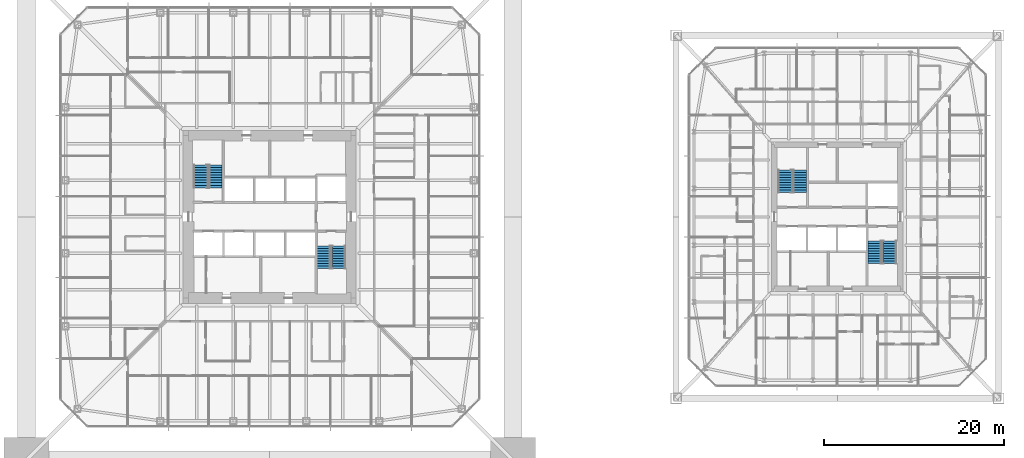
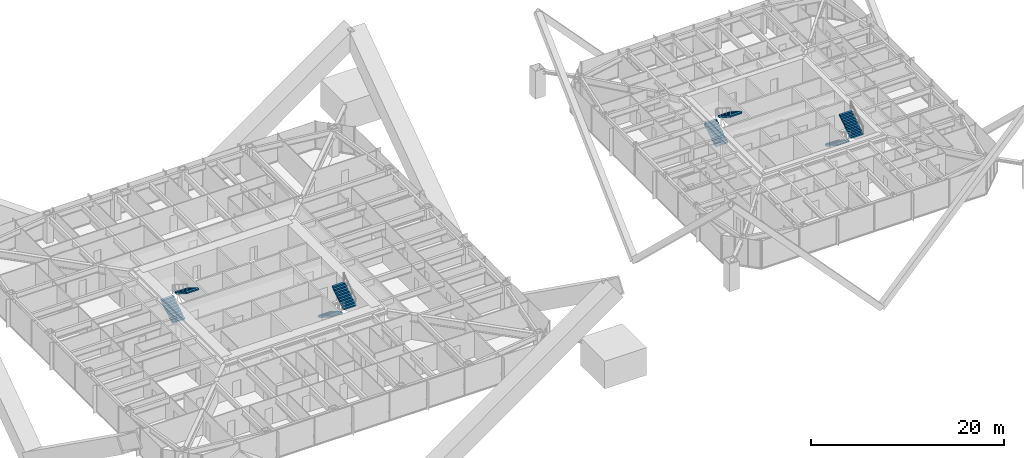
# One storey, part 24 of 28: 8 stair flights, 4 elements without a shape of their own.
"""IFC4 building model written with IfcOpenShell, lengths in metres."""

from ifc_helpers import new_model, si_unit, direction, frame, origin, place, context, subcontext, project, spatial, polyline, outline, extrude, material, constituent, constituent_set, type_object, element, aggregate, save


model = new_model("IFC4")

# Units and contexts
model_context = context("Model", 3, precision=1e-05, world=origin(), true_north=direction((0.0, 1.0)))
body_context = subcontext(model_context, "Body", "Model", "MODEL_VIEW")
ifc_project = project(units=[si_unit("LENGTHUNIT", "METRE"), si_unit("AREAUNIT", "SQUARE_METRE"), si_unit("VOLUMEUNIT", "CUBIC_METRE"), si_unit("PLANEANGLEUNIT", "RADIAN"), si_unit("MASSUNIT", "GRAM", prefix="KILO")], contexts=[model_context])

# Site, building, storey
site_placement = place(None, origin())
site = spatial("IfcSite", under=ifc_project, at=site_placement, CompositionType="ELEMENT")
building_placement = place(site_placement, origin())
building = spatial("IfcBuilding", under=site, at=building_placement, Name="Iwan Alto Co-Living Towers", CompositionType="ELEMENT")
storey_placement = place(building_placement, frame((0.0, 0.0, 64.0)))
storey = spatial("IfcBuildingStorey", under=building, at=storey_placement, Name="L17", CompositionType="ELEMENT", Elevation=64.0)

# Stair, stair flights
ifc_material_1 = material(Name="Steel ASTM A36", Category="steel")
ifc_constituent_1 = constituent(ifc_material_1, Name="Stringers", Category="LoadBearing")
ifc_material_2 = material(Name="Concrete f'c 30 MPa", Category="concrete")
ifc_constituent_2 = constituent(ifc_material_2, Name="Tread fill", Category="Finish")
ifc_constituent_set_1 = constituent_set(constituents=[ifc_constituent_1, ifc_constituent_2], Name="STAIR 3500 TWO-FLIGHT T1 CORE")
stair_type_1 = type_object("IfcStairType", Name="STAIR 3500 TWO-FLIGHT T1 CORE", PredefinedType="HALF_TURN_STAIR", material=ifc_constituent_set_1)
stair_1_placement = place(storey_placement, origin())
stair_1 = element("IfcStair", 1, at=stair_1_placement, inside=storey, type_object=stair_type_1, Name="Stair T1-S1 L17 to L18", PredefinedType="HALF_TURN_STAIR")
ifc_constituent_3 = constituent(ifc_material_1, Name="Stringers", Category="LoadBearing")
ifc_constituent_4 = constituent(ifc_material_2, Name="Tread fill", Category="Finish")
ifc_constituent_set_2 = constituent_set(constituents=[ifc_constituent_3, ifc_constituent_4], Name="STAIR FLIGHT 10 RISERS 280 GOING")
stair_flight_type = type_object("IfcStairFlightType", Name="STAIR FLIGHT 10 RISERS 280 GOING", PredefinedType="STRAIGHT", material=ifc_constituent_set_2)
stair_flight_1_placement = place(storey_placement, frame((-7.68994140625, 3.219970703125, 0.0), z_axis=(0.0, 0.0, 1.0), x_axis=(0.0, 1.0, 0.0)))
stair_flight_1 = element("IfcStairFlight", 2, at=stair_flight_1_placement, type_object=stair_flight_type, Name="T1-S1 flight 1", NumberOfRisers=10, NumberOfTreads=9, PredefinedType="STRAIGHT", RiserHeight=0.175, TreadLength=0.28, context=body_context, shape_type="SweptSolid", body=[
    extrude(outline(polyline([(0.0, 0.0), (0.0, 0.175048828125), (0.280029296875, 0.175048828125), (0.280029296875, 0.35009765625), (0.56005859375, 0.35009765625), (0.56005859375, 0.52490234375), (0.840087890625, 0.52490234375), (0.840087890625, 0.699951171875), (1.1201171875, 0.699951171875), (1.1201171875, 0.875), (1.39990234375, 0.875), (1.39990234375, 1.050048828125), (1.679931640625, 1.050048828125), (1.679931640625, 1.22509765625), (1.9599609375, 1.22509765625), (1.9599609375, 1.39990234375), (2.239990234375, 1.39990234375), (2.239990234375, 1.574951171875), (2.52001953125, 1.574951171875), (2.52001953125, 1.75), (2.52001953125, 1.398193359375), (0.28271484375, 0.0), (0.0, 0.0)])), frame((0.0, 0.739990234375, 0.0), z_axis=(0.0, -1.0, 0.0), x_axis=(1.0, 0.0, 0.0)), (0.0, 0.0, 1.0), 1.47998046875),
])
stair_flight_2_placement = place(storey_placement, frame((-6.010009765625, 5.739990234375, 1.75), z_axis=(0.0, 0.0, 1.0), x_axis=(0.0, -1.0, 0.0)))
stair_flight_2 = element("IfcStairFlight", 3, at=stair_flight_2_placement, type_object=stair_flight_type, Name="T1-S1 flight 2", NumberOfRisers=10, NumberOfTreads=9, PredefinedType="STRAIGHT", RiserHeight=0.175, TreadLength=0.28, context=body_context, shape_type="SweptSolid", body=[
    extrude(outline(polyline([(0.0, 0.0), (0.0, 0.175048828125), (0.280029296875, 0.175048828125), (0.280029296875, 0.35009765625), (0.56005859375, 0.35009765625), (0.56005859375, 0.52490234375), (0.840087890625, 0.52490234375), (0.840087890625, 0.699951171875), (1.1201171875, 0.699951171875), (1.1201171875, 0.875), (1.39990234375, 0.875), (1.39990234375, 1.050048828125), (1.679931640625, 1.050048828125), (1.679931640625, 1.22509765625), (1.9599609375, 1.22509765625), (1.9599609375, 1.39990234375), (2.239990234375, 1.39990234375), (2.239990234375, 1.574951171875), (2.52001953125, 1.574951171875), (2.52001953125, 1.75), (2.52001953125, 1.398193359375), (0.28271484375, 0.0), (0.0, 0.0)])), frame((0.0, 0.739990234375, 0.0), z_axis=(0.0, -1.0, 0.0), x_axis=(1.0, 0.0, 0.0)), (0.0, 0.0, 1.0), 1.47998046875),
])
aggregate(stair_1, [stair_flight_1, stair_flight_2])

stair_2_placement = place(storey_placement, origin())
stair_2 = element("IfcStair", 4, at=stair_2_placement, inside=storey, type_object=stair_type_1, Name="Stair T1-S2 L17 to L18", PredefinedType="HALF_TURN_STAIR")
stair_flight_3_placement = place(storey_placement, frame((6.010009765625, -3.219970703125, 0.0), z_axis=(0.0, 0.0, 1.0), x_axis=(0.0, -1.0, 0.0)))
stair_flight_3 = element("IfcStairFlight", 5, at=stair_flight_3_placement, type_object=stair_flight_type, Name="T1-S2 flight 1", NumberOfRisers=10, NumberOfTreads=9, PredefinedType="STRAIGHT", RiserHeight=0.175, TreadLength=0.28, context=body_context, shape_type="SweptSolid", body=[
    extrude(outline(polyline([(0.0, 0.0), (0.0, 0.175048828125), (0.280029296875, 0.175048828125), (0.280029296875, 0.35009765625), (0.56005859375, 0.35009765625), (0.56005859375, 0.52490234375), (0.840087890625, 0.52490234375), (0.840087890625, 0.699951171875), (1.1201171875, 0.699951171875), (1.1201171875, 0.875), (1.39990234375, 0.875), (1.39990234375, 1.050048828125), (1.679931640625, 1.050048828125), (1.679931640625, 1.22509765625), (1.9599609375, 1.22509765625), (1.9599609375, 1.39990234375), (2.239990234375, 1.39990234375), (2.239990234375, 1.574951171875), (2.52001953125, 1.574951171875), (2.52001953125, 1.75), (2.52001953125, 1.398193359375), (0.28271484375, 0.0), (0.0, 0.0)])), frame((0.0, 0.739990234375, 0.0), z_axis=(0.0, -1.0, 0.0), x_axis=(1.0, 0.0, 0.0)), (0.0, 0.0, 1.0), 1.47998046875),
])
stair_flight_4_placement = place(storey_placement, frame((7.68994140625, -5.739990234375, 1.75), z_axis=(0.0, 0.0, 1.0), x_axis=(0.0, 1.0, 0.0)))
stair_flight_4 = element("IfcStairFlight", 6, at=stair_flight_4_placement, type_object=stair_flight_type, Name="T1-S2 flight 2", NumberOfRisers=10, NumberOfTreads=9, PredefinedType="STRAIGHT", RiserHeight=0.175, TreadLength=0.28, context=body_context, shape_type="SweptSolid", body=[
    extrude(outline(polyline([(0.0, 0.0), (0.0, 0.175048828125), (0.280029296875, 0.175048828125), (0.280029296875, 0.35009765625), (0.56005859375, 0.35009765625), (0.56005859375, 0.52490234375), (0.840087890625, 0.52490234375), (0.840087890625, 0.699951171875), (1.1201171875, 0.699951171875), (1.1201171875, 0.875), (1.39990234375, 0.875), (1.39990234375, 1.050048828125), (1.679931640625, 1.050048828125), (1.679931640625, 1.22509765625), (1.9599609375, 1.22509765625), (1.9599609375, 1.39990234375), (2.239990234375, 1.39990234375), (2.239990234375, 1.574951171875), (2.52001953125, 1.574951171875), (2.52001953125, 1.75), (2.52001953125, 1.398193359375), (0.28271484375, 0.0), (0.0, 0.0)])), frame((0.0, 0.739990234375, 0.0), z_axis=(0.0, -1.0, 0.0), x_axis=(1.0, 0.0, 0.0)), (0.0, 0.0, 1.0), 1.47998046875),
])
aggregate(stair_2, [stair_flight_3, stair_flight_4])

ifc_constituent_5 = constituent(ifc_material_1, Name="Stringers", Category="LoadBearing")
ifc_constituent_6 = constituent(ifc_material_2, Name="Tread fill", Category="Finish")
ifc_constituent_set_3 = constituent_set(constituents=[ifc_constituent_5, ifc_constituent_6], Name="STAIR 3500 TWO-FLIGHT T2 CORE")
stair_type_2 = type_object("IfcStairType", Name="STAIR 3500 TWO-FLIGHT T2 CORE", PredefinedType="HALF_TURN_STAIR", material=ifc_constituent_set_3)
stair_3_placement = place(storey_placement, origin())
stair_3 = element("IfcStair", 7, at=stair_3_placement, inside=storey, type_object=stair_type_2, Name="Stair T2-S1 L17 to L18", PredefinedType="HALF_TURN_STAIR")
stair_flight_5_placement = place(storey_placement, frame((57.159912109375, 2.669921875, 0.0), z_axis=(0.0, 0.0, 1.0), x_axis=(0.0, 1.0, 0.0)))
stair_flight_5 = element("IfcStairFlight", 8, at=stair_flight_5_placement, type_object=stair_flight_type, Name="T2-S1 flight 1", NumberOfRisers=10, NumberOfTreads=9, PredefinedType="STRAIGHT", RiserHeight=0.175, TreadLength=0.28, context=body_context, shape_type="SweptSolid", body=[
    extrude(outline(polyline([(0.0, 0.0), (0.0, 0.175048828125), (0.280029296875, 0.175048828125), (0.280029296875, 0.35009765625), (0.56005859375, 0.35009765625), (0.56005859375, 0.52490234375), (0.840087890625, 0.52490234375), (0.840087890625, 0.699951171875), (1.1201171875, 0.699951171875), (1.1201171875, 0.875), (1.39990234375, 0.875), (1.39990234375, 1.050048828125), (1.679931640625, 1.050048828125), (1.679931640625, 1.22509765625), (1.9599609375, 1.22509765625), (1.9599609375, 1.39990234375), (2.239990234375, 1.39990234375), (2.239990234375, 1.574951171875), (2.52001953125, 1.574951171875), (2.52001953125, 1.75), (2.52001953125, 1.398193359375), (0.28271484375, 0.0), (0.0, 0.0)])), frame((0.0, 0.739990234375, 0.0), z_axis=(0.0, -1.0, 0.0), x_axis=(1.0, 0.0, 0.0)), (0.0, 0.0, 1.0), 1.47998046875),
])
stair_flight_6_placement = place(storey_placement, frame((58.840087890625, 5.18994140625, 1.75), z_axis=(0.0, 0.0, 1.0), x_axis=(0.0, -1.0, 0.0)))
stair_flight_6 = element("IfcStairFlight", 9, at=stair_flight_6_placement, type_object=stair_flight_type, Name="T2-S1 flight 2", NumberOfRisers=10, NumberOfTreads=9, PredefinedType="STRAIGHT", RiserHeight=0.175, TreadLength=0.28, context=body_context, shape_type="SweptSolid", body=[
    extrude(outline(polyline([(0.0, 0.0), (0.0, 0.175048828125), (0.280029296875, 0.175048828125), (0.280029296875, 0.35009765625), (0.56005859375, 0.35009765625), (0.56005859375, 0.52490234375), (0.840087890625, 0.52490234375), (0.840087890625, 0.699951171875), (1.1201171875, 0.699951171875), (1.1201171875, 0.875), (1.39990234375, 0.875), (1.39990234375, 1.050048828125), (1.679931640625, 1.050048828125), (1.679931640625, 1.22509765625), (1.9599609375, 1.22509765625), (1.9599609375, 1.39990234375), (2.239990234375, 1.39990234375), (2.239990234375, 1.574951171875), (2.52001953125, 1.574951171875), (2.52001953125, 1.75), (2.52001953125, 1.398193359375), (0.28271484375, 0.0), (0.0, 0.0)])), frame((0.0, 0.739990234375, 0.0), z_axis=(0.0, -1.0, 0.0), x_axis=(1.0, 0.0, 0.0)), (0.0, 0.0, 1.0), 1.47998046875),
])
aggregate(stair_3, [stair_flight_5, stair_flight_6])

stair_4_placement = place(storey_placement, origin())
stair_4 = element("IfcStair", 10, at=stair_4_placement, inside=storey, type_object=stair_type_2, Name="Stair T2-S2 L17 to L18", PredefinedType="HALF_TURN_STAIR")
stair_flight_7_placement = place(storey_placement, frame((67.159912109375, -2.669921875, 0.0), z_axis=(0.0, 0.0, 1.0), x_axis=(0.0, -1.0, 0.0)))
stair_flight_7 = element("IfcStairFlight", 11, at=stair_flight_7_placement, type_object=stair_flight_type, Name="T2-S2 flight 1", NumberOfRisers=10, NumberOfTreads=9, PredefinedType="STRAIGHT", RiserHeight=0.175, TreadLength=0.28, context=body_context, shape_type="SweptSolid", body=[
    extrude(outline(polyline([(0.0, 0.0), (0.0, 0.175048828125), (0.280029296875, 0.175048828125), (0.280029296875, 0.35009765625), (0.56005859375, 0.35009765625), (0.56005859375, 0.52490234375), (0.840087890625, 0.52490234375), (0.840087890625, 0.699951171875), (1.1201171875, 0.699951171875), (1.1201171875, 0.875), (1.39990234375, 0.875), (1.39990234375, 1.050048828125), (1.679931640625, 1.050048828125), (1.679931640625, 1.22509765625), (1.9599609375, 1.22509765625), (1.9599609375, 1.39990234375), (2.239990234375, 1.39990234375), (2.239990234375, 1.574951171875), (2.52001953125, 1.574951171875), (2.52001953125, 1.75), (2.52001953125, 1.398193359375), (0.28271484375, 0.0), (0.0, 0.0)])), frame((0.0, 0.739990234375, 0.0), z_axis=(0.0, -1.0, 0.0), x_axis=(1.0, 0.0, 0.0)), (0.0, 0.0, 1.0), 1.47998046875),
])
stair_flight_8_placement = place(storey_placement, frame((68.840087890625, -5.18994140625, 1.75), z_axis=(0.0, 0.0, 1.0), x_axis=(0.0, 1.0, 0.0)))
stair_flight_8 = element("IfcStairFlight", 12, at=stair_flight_8_placement, type_object=stair_flight_type, Name="T2-S2 flight 2", NumberOfRisers=10, NumberOfTreads=9, PredefinedType="STRAIGHT", RiserHeight=0.175, TreadLength=0.28, context=body_context, shape_type="SweptSolid", body=[
    extrude(outline(polyline([(0.0, 0.0), (0.0, 0.175048828125), (0.280029296875, 0.175048828125), (0.280029296875, 0.35009765625), (0.56005859375, 0.35009765625), (0.56005859375, 0.52490234375), (0.840087890625, 0.52490234375), (0.840087890625, 0.699951171875), (1.1201171875, 0.699951171875), (1.1201171875, 0.875), (1.39990234375, 0.875), (1.39990234375, 1.050048828125), (1.679931640625, 1.050048828125), (1.679931640625, 1.22509765625), (1.9599609375, 1.22509765625), (1.9599609375, 1.39990234375), (2.239990234375, 1.39990234375), (2.239990234375, 1.574951171875), (2.52001953125, 1.574951171875), (2.52001953125, 1.75), (2.52001953125, 1.398193359375), (0.28271484375, 0.0), (0.0, 0.0)])), frame((0.0, 0.739990234375, 0.0), z_axis=(0.0, -1.0, 0.0), x_axis=(1.0, 0.0, 0.0)), (0.0, 0.0, 1.0), 1.47998046875),
])
aggregate(stair_4, [stair_flight_7, stair_flight_8])

save(model, "model.ifc")
